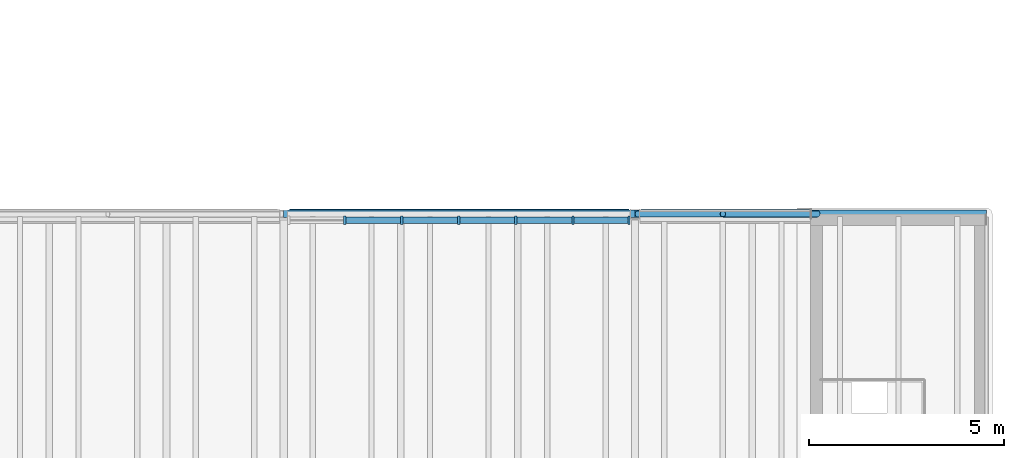
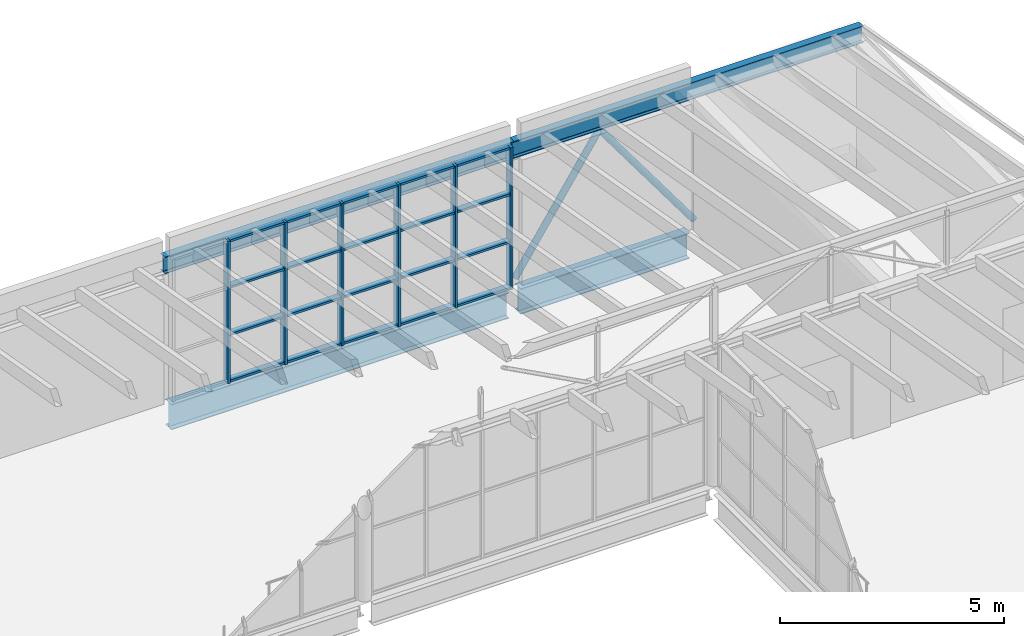
# One storey, part 27 of 44: 28 members, 4 beams, 1 element without a shape of its own.
"""IFC4 building model written with IfcOpenShell, lengths in metres."""

from ifc_helpers import new_model, si_unit, direction, frame, origin, origin_2d, place, context, subcontext, project, spatial, rectangle, hollow_circle, i_section, extrude, material, layer, layer_set, material_profile, profile_set, type_object, element, aggregate, save


model = new_model("IFC4")

# Units and contexts
model_context = context("Model", 3, precision=1e-05, world=origin(), true_north=direction((0.0, 1.0)))
body_context = subcontext(model_context, "Body", "Model", "MODEL_VIEW")
ifc_project = project(units=[si_unit("LENGTHUNIT", "METRE"), si_unit("AREAUNIT", "SQUARE_METRE"), si_unit("VOLUMEUNIT", "CUBIC_METRE"), si_unit("PLANEANGLEUNIT", "RADIAN"), si_unit("MASSUNIT", "GRAM", prefix="KILO")], contexts=[model_context])

# Site, building, storey
site_placement = place(None, origin())
site = spatial("IfcSite", under=ifc_project, at=site_placement, CompositionType="ELEMENT")
building_placement = place(site_placement, origin())
building = spatial("IfcBuilding", under=site, at=building_placement, Name="Halyard Row Museum", CompositionType="ELEMENT")
storey_placement = place(building_placement, frame((0.0, 0.0, 21.199951171875)))
storey = spatial("IfcBuildingStorey", under=building, at=storey_placement, Name="L04", CompositionType="ELEMENT", Elevation=21.199951171875)

# Members
ifc_material_1 = material(Name="Steel Grade C350L0", Category="steel")
ifc_material_profile_1 = material_profile(ifc_material_1, hollow_circle(Radius=0.084228515625, WallThickness=0.007080078125, at=origin_2d()), Name="168.3x7.1CHS")
ifc_profile_set_1 = profile_set([ifc_material_profile_1], Name="Steel Grade C350L0")
member_type_1 = type_object("IfcMemberType", Name="Brace 168.3x7.1CHS", PredefinedType="BRACE", material=ifc_profile_set_1)
member_1_placement = place(storey_placement, frame((99.074951171875, 36.0, 0.084228515625), z_axis=(0.550969715655, 0.0, 0.834525237743), x_axis=(0.0, 1.0, 0.0)))
element("IfcMember", 1, at=member_1_placement, inside=storey, type_object=member_type_1, Name="Brace L04 Y36 99-103.5 A", PredefinedType="BRACE", context=body_context, shape_type="SweptSolid", body=[
    extrude(hollow_circle(Radius=0.084228515625, WallThickness=0.007080078125, at=origin_2d()), origin(), (0.0, 0.0, 1.0), 3.94775390625),
])
member_2_placement = place(storey_placement, frame((103.669921875, 36.0, 0.084228515625), z_axis=(-0.592399578078, 0.0, 0.805644301099), x_axis=(0.0, -1.0, 0.0)))
element("IfcMember", 2, at=member_2_placement, inside=storey, type_object=member_type_1, Name="Brace L04 Y36 99-103.5 B", PredefinedType="BRACE", context=body_context, shape_type="SweptSolid", body=[
    extrude(hollow_circle(Radius=0.084228515625, WallThickness=0.007080078125, at=origin_2d()), origin(), (0.0, 0.0, 1.0), 4.0849609375),
])

# Curtain wall, members
ifc_material_2 = material(Name="Double glazed unit, low-emissivity", Category="glass")
ifc_layer = layer(ifc_material_2, 0.219970703125)
ifc_layer_set = layer_set([ifc_layer], Name="Double glazed unit, low-emissivity")
curtain_wall_type = type_object("IfcCurtainWallType", Name="Curtain wall unitised 220 deep", PredefinedType="NOTDEFINED", material=ifc_layer_set)
curtain_wall_placement = place(storey_placement, origin())
curtain_wall = element("IfcCurtainWall", 3, at=curtain_wall_placement, inside=storey, type_object=curtain_wall_type, Name="Curtain wall CW061", PredefinedType="NOTDEFINED")
ifc_material_3 = material(Name="Powder-coated aluminium section", Category="aluminium")
ifc_material_profile_2 = material_profile(ifc_material_3, rectangle(XDim=0.219970703125, YDim=0.06005859375, at=origin_2d()), Name="220x60 mullion")
ifc_profile_set_2 = profile_set([ifc_material_profile_2], Name="Powder-coated aluminium section")
member_type_2 = type_object("IfcMemberType", Name="Curtain wall mullion CM3 60 x 220", PredefinedType="MULLION", material=ifc_profile_set_2)
member_3_placement = place(storey_placement, frame((98.844970703125, 35.840087890625, 0.0), z_axis=(0.0, 0.0, 1.0), x_axis=(0.0, -1.0, 0.0)))
member_3 = element("IfcMember", 4, at=member_3_placement, type_object=member_type_2, Name="CW061 mullion 1", PredefinedType="MULLION", context=body_context, shape_type="SweptSolid", body=[
    extrude(rectangle(XDim=0.219970703125, YDim=0.06005859375, at=origin_2d()), origin(), (0.0, 0.0, 1.0), 3.878173828125),
])
member_4_placement = place(storey_placement, frame((97.41259765625, 35.840087890625, 0.0), z_axis=(0.0, 0.0, 1.0), x_axis=(0.0, -1.0, 0.0)))
member_4 = element("IfcMember", 5, at=member_4_placement, type_object=member_type_2, Name="CW061 mullion 2", PredefinedType="MULLION", context=body_context, shape_type="SweptSolid", body=[
    extrude(rectangle(XDim=0.219970703125, YDim=0.06005859375, at=origin_2d()), origin(), (0.0, 0.0, 1.0), 3.878173828125),
])
member_5_placement = place(storey_placement, frame((95.949951171875, 35.840087890625, 0.0), z_axis=(0.0, 0.0, 1.0), x_axis=(0.0, -1.0, 0.0)))
member_5 = element("IfcMember", 6, at=member_5_placement, type_object=member_type_2, Name="CW061 mullion 3", PredefinedType="MULLION", context=body_context, shape_type="SweptSolid", body=[
    extrude(rectangle(XDim=0.219970703125, YDim=0.06005859375, at=origin_2d()), origin(), (0.0, 0.0, 1.0), 3.878173828125),
])
member_6_placement = place(storey_placement, frame((94.487548828125, 35.840087890625, 0.0), z_axis=(0.0, 0.0, 1.0), x_axis=(0.0, -1.0, 0.0)))
member_6 = element("IfcMember", 7, at=member_6_placement, type_object=member_type_2, Name="CW061 mullion 4", PredefinedType="MULLION", context=body_context, shape_type="SweptSolid", body=[
    extrude(rectangle(XDim=0.219970703125, YDim=0.06005859375, at=origin_2d()), origin(), (0.0, 0.0, 1.0), 3.878173828125),
])
member_7_placement = place(storey_placement, frame((93.02490234375, 35.840087890625, 0.0), z_axis=(0.0, 0.0, 1.0), x_axis=(0.0, -1.0, 0.0)))
member_7 = element("IfcMember", 8, at=member_7_placement, type_object=member_type_2, Name="CW061 mullion 5", PredefinedType="MULLION", context=body_context, shape_type="SweptSolid", body=[
    extrude(rectangle(XDim=0.219970703125, YDim=0.06005859375, at=origin_2d()), origin(), (0.0, 0.0, 1.0), 3.878173828125),
])
member_8_placement = place(storey_placement, frame((91.5625, 35.840087890625, 0.0), z_axis=(0.0, 0.0, 1.0), x_axis=(0.0, -1.0, 0.0)))
member_8 = element("IfcMember", 9, at=member_8_placement, type_object=member_type_2, Name="CW061 mullion 6", PredefinedType="MULLION", context=body_context, shape_type="SweptSolid", body=[
    extrude(rectangle(XDim=0.219970703125, YDim=0.06005859375, at=origin_2d()), origin(), (0.0, 0.0, 1.0), 3.878173828125),
])
ifc_material_4 = material(Name="Powder-coated aluminium section", Category="aluminium")
ifc_material_profile_3 = material_profile(ifc_material_4, rectangle(XDim=0.159912109375, YDim=0.06005859375, at=origin_2d()), Name="160x60 transom")
ifc_profile_set_3 = profile_set([ifc_material_profile_3], Name="Powder-coated aluminium section")
member_type_3 = type_object("IfcMemberType", Name="Curtain wall transom CT3 60 x 160", PredefinedType="USERDEFINED", material=ifc_profile_set_3)
member_9_placement = place(storey_placement, frame((98.81494140625, 35.840087890625, 0.030029296875), z_axis=(-1.0, 0.0, 0.0), x_axis=(0.0, -1.0, 0.0)))
member_9 = element("IfcMember", 10, at=member_9_placement, type_object=member_type_3, Name="CW061 transom 1.1", ObjectType="TRANSOM", PredefinedType="USERDEFINED", context=body_context, shape_type="SweptSolid", body=[
    extrude(rectangle(XDim=0.159912109375, YDim=0.06005859375, at=origin_2d()), origin(), (0.0, 0.0, 1.0), 1.37255859375),
])
member_10_placement = place(storey_placement, frame((98.81494140625, 35.840087890625, 1.292724609375), z_axis=(-1.0, 0.0, 0.0), x_axis=(0.0, -1.0, 0.0)))
member_10 = element("IfcMember", 11, at=member_10_placement, type_object=member_type_3, Name="CW061 transom 1.2", ObjectType="TRANSOM", PredefinedType="USERDEFINED", context=body_context, shape_type="SweptSolid", body=[
    extrude(rectangle(XDim=0.159912109375, YDim=0.06005859375, at=origin_2d()), origin(), (0.0, 0.0, 1.0), 1.37255859375),
])
member_11_placement = place(storey_placement, frame((98.81494140625, 35.840087890625, 2.58544921875), z_axis=(-1.0, 0.0, 0.0), x_axis=(0.0, -1.0, 0.0)))
member_11 = element("IfcMember", 12, at=member_11_placement, type_object=member_type_3, Name="CW061 transom 1.3", ObjectType="TRANSOM", PredefinedType="USERDEFINED", context=body_context, shape_type="SweptSolid", body=[
    extrude(rectangle(XDim=0.159912109375, YDim=0.06005859375, at=origin_2d()), origin(), (0.0, 0.0, 1.0), 1.37255859375),
])
member_12_placement = place(storey_placement, frame((98.81494140625, 35.840087890625, 3.84814453125), z_axis=(-1.0, 0.0, 0.0), x_axis=(0.0, -1.0, 0.0)))
member_12 = element("IfcMember", 13, at=member_12_placement, type_object=member_type_3, Name="CW061 transom 1.4", ObjectType="TRANSOM", PredefinedType="USERDEFINED", context=body_context, shape_type="SweptSolid", body=[
    extrude(rectangle(XDim=0.159912109375, YDim=0.06005859375, at=origin_2d()), origin(), (0.0, 0.0, 1.0), 1.37255859375),
])
member_13_placement = place(storey_placement, frame((97.382568359375, 35.840087890625, 0.030029296875), z_axis=(-1.0, 0.0, 0.0), x_axis=(0.0, -1.0, 0.0)))
member_13 = element("IfcMember", 14, at=member_13_placement, type_object=member_type_3, Name="CW061 transom 2.1", ObjectType="TRANSOM", PredefinedType="USERDEFINED", context=body_context, shape_type="SweptSolid", body=[
    extrude(rectangle(XDim=0.159912109375, YDim=0.06005859375, at=origin_2d()), origin(), (0.0, 0.0, 1.0), 1.402587890625),
])
member_14_placement = place(storey_placement, frame((97.382568359375, 35.840087890625, 1.292724609375), z_axis=(-1.0, 0.0, 0.0), x_axis=(0.0, -1.0, 0.0)))
member_14 = element("IfcMember", 15, at=member_14_placement, type_object=member_type_3, Name="CW061 transom 2.2", ObjectType="TRANSOM", PredefinedType="USERDEFINED", context=body_context, shape_type="SweptSolid", body=[
    extrude(rectangle(XDim=0.159912109375, YDim=0.06005859375, at=origin_2d()), origin(), (0.0, 0.0, 1.0), 1.402587890625),
])
member_15_placement = place(storey_placement, frame((97.382568359375, 35.840087890625, 2.58544921875), z_axis=(-1.0, 0.0, 0.0), x_axis=(0.0, -1.0, 0.0)))
member_15 = element("IfcMember", 16, at=member_15_placement, type_object=member_type_3, Name="CW061 transom 2.3", ObjectType="TRANSOM", PredefinedType="USERDEFINED", context=body_context, shape_type="SweptSolid", body=[
    extrude(rectangle(XDim=0.159912109375, YDim=0.06005859375, at=origin_2d()), origin(), (0.0, 0.0, 1.0), 1.402587890625),
])
member_16_placement = place(storey_placement, frame((97.382568359375, 35.840087890625, 3.84814453125), z_axis=(-1.0, 0.0, 0.0), x_axis=(0.0, -1.0, 0.0)))
member_16 = element("IfcMember", 17, at=member_16_placement, type_object=member_type_3, Name="CW061 transom 2.4", ObjectType="TRANSOM", PredefinedType="USERDEFINED", context=body_context, shape_type="SweptSolid", body=[
    extrude(rectangle(XDim=0.159912109375, YDim=0.06005859375, at=origin_2d()), origin(), (0.0, 0.0, 1.0), 1.402587890625),
])
member_17_placement = place(storey_placement, frame((95.919921875, 35.840087890625, 0.030029296875), z_axis=(-1.0, 0.0, 0.0), x_axis=(0.0, -1.0, 0.0)))
member_17 = element("IfcMember", 18, at=member_17_placement, type_object=member_type_3, Name="CW061 transom 3.1", ObjectType="TRANSOM", PredefinedType="USERDEFINED", context=body_context, shape_type="SweptSolid", body=[
    extrude(rectangle(XDim=0.159912109375, YDim=0.06005859375, at=origin_2d()), origin(), (0.0, 0.0, 1.0), 1.40234375),
])
member_18_placement = place(storey_placement, frame((95.919921875, 35.840087890625, 1.292724609375), z_axis=(-1.0, 0.0, 0.0), x_axis=(0.0, -1.0, 0.0)))
member_18 = element("IfcMember", 19, at=member_18_placement, type_object=member_type_3, Name="CW061 transom 3.2", ObjectType="TRANSOM", PredefinedType="USERDEFINED", context=body_context, shape_type="SweptSolid", body=[
    extrude(rectangle(XDim=0.159912109375, YDim=0.06005859375, at=origin_2d()), origin(), (0.0, 0.0, 1.0), 1.40234375),
])
member_19_placement = place(storey_placement, frame((95.919921875, 35.840087890625, 2.58544921875), z_axis=(-1.0, 0.0, 0.0), x_axis=(0.0, -1.0, 0.0)))
member_19 = element("IfcMember", 20, at=member_19_placement, type_object=member_type_3, Name="CW061 transom 3.3", ObjectType="TRANSOM", PredefinedType="USERDEFINED", context=body_context, shape_type="SweptSolid", body=[
    extrude(rectangle(XDim=0.159912109375, YDim=0.06005859375, at=origin_2d()), origin(), (0.0, 0.0, 1.0), 1.40234375),
])
member_20_placement = place(storey_placement, frame((95.919921875, 35.840087890625, 3.84814453125), z_axis=(-1.0, 0.0, 0.0), x_axis=(0.0, -1.0, 0.0)))
member_20 = element("IfcMember", 21, at=member_20_placement, type_object=member_type_3, Name="CW061 transom 3.4", ObjectType="TRANSOM", PredefinedType="USERDEFINED", context=body_context, shape_type="SweptSolid", body=[
    extrude(rectangle(XDim=0.159912109375, YDim=0.06005859375, at=origin_2d()), origin(), (0.0, 0.0, 1.0), 1.40234375),
])
member_21_placement = place(storey_placement, frame((94.45751953125, 35.840087890625, 0.030029296875), z_axis=(-1.0, 0.0, 0.0), x_axis=(0.0, -1.0, 0.0)))
member_21 = element("IfcMember", 22, at=member_21_placement, type_object=member_type_3, Name="CW061 transom 4.1", ObjectType="TRANSOM", PredefinedType="USERDEFINED", context=body_context, shape_type="SweptSolid", body=[
    extrude(rectangle(XDim=0.159912109375, YDim=0.06005859375, at=origin_2d()), origin(), (0.0, 0.0, 1.0), 1.402587890625),
])
member_22_placement = place(storey_placement, frame((94.45751953125, 35.840087890625, 1.292724609375), z_axis=(-1.0, 0.0, 0.0), x_axis=(0.0, -1.0, 0.0)))
member_22 = element("IfcMember", 23, at=member_22_placement, type_object=member_type_3, Name="CW061 transom 4.2", ObjectType="TRANSOM", PredefinedType="USERDEFINED", context=body_context, shape_type="SweptSolid", body=[
    extrude(rectangle(XDim=0.159912109375, YDim=0.06005859375, at=origin_2d()), origin(), (0.0, 0.0, 1.0), 1.402587890625),
])
member_23_placement = place(storey_placement, frame((94.45751953125, 35.840087890625, 2.58544921875), z_axis=(-1.0, 0.0, 0.0), x_axis=(0.0, -1.0, 0.0)))
member_23 = element("IfcMember", 24, at=member_23_placement, type_object=member_type_3, Name="CW061 transom 4.3", ObjectType="TRANSOM", PredefinedType="USERDEFINED", context=body_context, shape_type="SweptSolid", body=[
    extrude(rectangle(XDim=0.159912109375, YDim=0.06005859375, at=origin_2d()), origin(), (0.0, 0.0, 1.0), 1.402587890625),
])
member_24_placement = place(storey_placement, frame((94.45751953125, 35.840087890625, 3.84814453125), z_axis=(-1.0, 0.0, 0.0), x_axis=(0.0, -1.0, 0.0)))
member_24 = element("IfcMember", 25, at=member_24_placement, type_object=member_type_3, Name="CW061 transom 4.4", ObjectType="TRANSOM", PredefinedType="USERDEFINED", context=body_context, shape_type="SweptSolid", body=[
    extrude(rectangle(XDim=0.159912109375, YDim=0.06005859375, at=origin_2d()), origin(), (0.0, 0.0, 1.0), 1.402587890625),
])
member_25_placement = place(storey_placement, frame((92.9951171875, 35.840087890625, 0.030029296875), z_axis=(-1.0, 0.0, 0.0), x_axis=(0.0, -1.0, 0.0)))
member_25 = element("IfcMember", 26, at=member_25_placement, type_object=member_type_3, Name="CW061 transom 5.1", ObjectType="TRANSOM", PredefinedType="USERDEFINED", context=body_context, shape_type="SweptSolid", body=[
    extrude(rectangle(XDim=0.159912109375, YDim=0.06005859375, at=origin_2d()), origin(), (0.0, 0.0, 1.0), 1.402587890625),
])
member_26_placement = place(storey_placement, frame((92.9951171875, 35.840087890625, 1.292724609375), z_axis=(-1.0, 0.0, 0.0), x_axis=(0.0, -1.0, 0.0)))
member_26 = element("IfcMember", 27, at=member_26_placement, type_object=member_type_3, Name="CW061 transom 5.2", ObjectType="TRANSOM", PredefinedType="USERDEFINED", context=body_context, shape_type="SweptSolid", body=[
    extrude(rectangle(XDim=0.159912109375, YDim=0.06005859375, at=origin_2d()), origin(), (0.0, 0.0, 1.0), 1.402587890625),
])
member_27_placement = place(storey_placement, frame((92.9951171875, 35.840087890625, 2.58544921875), z_axis=(-1.0, 0.0, 0.0), x_axis=(0.0, -1.0, 0.0)))
member_27 = element("IfcMember", 28, at=member_27_placement, type_object=member_type_3, Name="CW061 transom 5.3", ObjectType="TRANSOM", PredefinedType="USERDEFINED", context=body_context, shape_type="SweptSolid", body=[
    extrude(rectangle(XDim=0.159912109375, YDim=0.06005859375, at=origin_2d()), origin(), (0.0, 0.0, 1.0), 1.402587890625),
])
member_28_placement = place(storey_placement, frame((92.9951171875, 35.840087890625, 3.84814453125), z_axis=(-1.0, 0.0, 0.0), x_axis=(0.0, -1.0, 0.0)))
member_28 = element("IfcMember", 29, at=member_28_placement, type_object=member_type_3, Name="CW061 transom 5.4", ObjectType="TRANSOM", PredefinedType="USERDEFINED", context=body_context, shape_type="SweptSolid", body=[
    extrude(rectangle(XDim=0.159912109375, YDim=0.06005859375, at=origin_2d()), origin(), (0.0, 0.0, 1.0), 1.402587890625),
])
aggregate(curtain_wall, [member_3, member_4, member_5, member_6, member_7, member_8, member_9, member_10, member_11, member_12, member_13, member_14, member_15, member_16, member_17, member_18, member_19, member_20, member_21, member_22, member_23, member_24, member_25, member_26, member_27, member_28])

# Beams
ifc_material_5 = material(Name="Steel Grade 300", Category="steel")
ifc_material_profile_4 = material_profile(ifc_material_5, i_section(OverallWidth=0.19091796875, OverallDepth=0.46044921875, WebThickness=0.010009765625, FlangeThickness=0.01611328125, FilletRadius=0.011474609375, at=origin_2d()), Name="460UB82.1")
ifc_profile_set_4 = profile_set([ifc_material_profile_4], Name="Steel Grade 300")
beam_type_1 = type_object("IfcBeamType", Name="Eave girder 460UB82.1", PredefinedType="BEAM", material=ifc_profile_set_4)
for number, where, z_axis, x_axis, name in (
    (30, (90.0, 36.0, 3.64990234375), (1.0, 0.0, 0.0), (0.0, 1.0, 0.0), "V2 eave girder 5.3"),
    (31, (99.0, 36.0, 3.64990234375), (1.0, 0.0, 0.0), (0.0, 1.0, 0.0), "V2 eave girder 5.4"),
):
    element("IfcBeam", number, at=place(storey_placement, frame(where, z_axis=z_axis, x_axis=x_axis)), inside=storey, type_object=beam_type_1, Name=name, PredefinedType="BEAM", context=body_context, shape_type="SweptSolid", body=[
        extrude(i_section(OverallWidth=0.19091796875, OverallDepth=0.46044921875, WebThickness=0.010009765625, FlangeThickness=0.01611328125, FilletRadius=0.011474609375, at=origin_2d()), origin(), (0.0, 0.0, 1.0), 9.0),
    ])
ifc_material_6 = material(Name="Steel Grade 300", Category="steel")
ifc_material_profile_5 = material_profile(ifc_material_6, i_section(OverallWidth=0.25, OverallDepth=0.699951171875, WebThickness=0.010009765625, FlangeThickness=0.02001953125, at=origin_2d()), Name="700WB130")
ifc_profile_set_5 = profile_set([ifc_material_profile_5], Name="Steel Grade 300")
beam_type_2 = type_object("IfcBeamType", Name="Edge beam 700WB130", PredefinedType="BEAM", material=ifc_profile_set_5)
beam_1_placement = place(storey_placement, frame((90.14990234375, 36.0, -0.514892578125), z_axis=(1.0, 0.0, 0.0), x_axis=(0.0, 1.0, 0.0)))
element("IfcBeam", 32, at=beam_1_placement, inside=storey, type_object=beam_type_2, Name="Beam L04-017", PredefinedType="BEAM", context=body_context, shape_type="SweptSolid", body=[
    extrude(i_section(OverallWidth=0.25, OverallDepth=0.699951171875, WebThickness=0.010009765625, FlangeThickness=0.02001953125, at=origin_2d()), origin(), (0.0, 0.0, 1.0), 8.7001953125),
])
beam_2_placement = place(storey_placement, frame((99.14990234375, 36.0, -0.514892578125), z_axis=(1.0, 0.0, 0.0), x_axis=(0.0, 1.0, 0.0)))
element("IfcBeam", 33, at=beam_2_placement, inside=storey, type_object=beam_type_2, Name="Beam L04-018", PredefinedType="BEAM", context=body_context, shape_type="SweptSolid", body=[
    extrude(i_section(OverallWidth=0.25, OverallDepth=0.699951171875, WebThickness=0.010009765625, FlangeThickness=0.02001953125, at=origin_2d()), origin(), (0.0, 0.0, 1.0), 4.35009765625),
])

save(model, "model.ifc")
